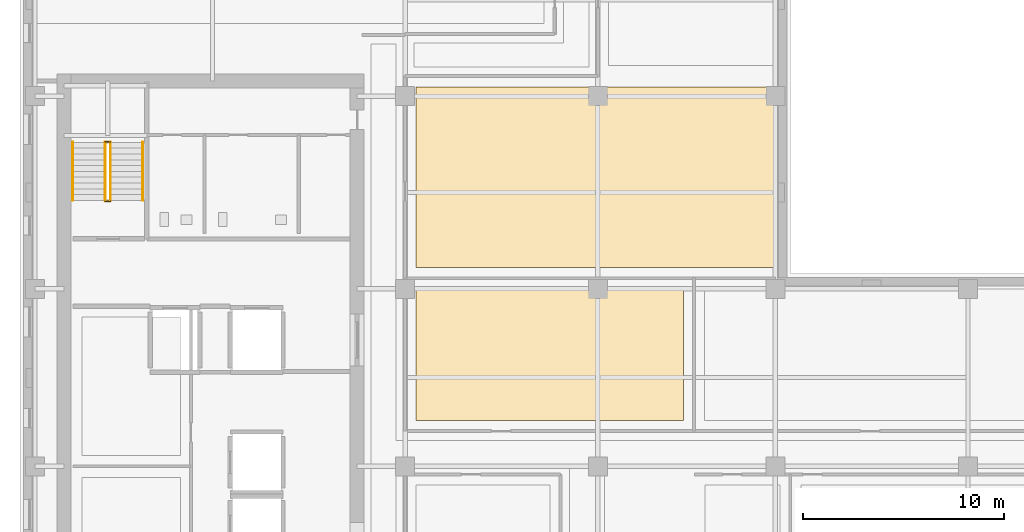
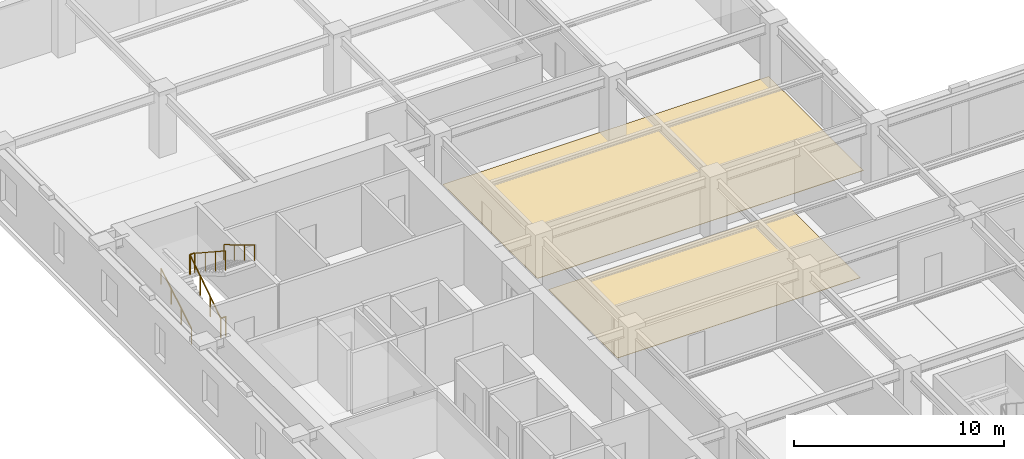
# One storey, part 10 of 12: 6 railings, 2 coverings.
"""IFC4 building model written with IfcOpenShell, lengths in metres."""

from ifc_helpers import new_model, si_unit, direction, frame, origin, origin_2d, place, context, subcontext, project, spatial, polyline, circle, outline, extrude, material, layer, layer_set, type_object, element, save


model = new_model("IFC4")

# Units and contexts
model_context = context("Model", 3, precision=1e-05, world=origin(), true_north=direction((0.0, 1.0)))
body_context = subcontext(model_context, "Body", "Model", "MODEL_VIEW")
ifc_project = project(units=[si_unit("LENGTHUNIT", "METRE"), si_unit("AREAUNIT", "SQUARE_METRE"), si_unit("VOLUMEUNIT", "CUBIC_METRE"), si_unit("PLANEANGLEUNIT", "RADIAN"), si_unit("MASSUNIT", "GRAM", prefix="KILO")], contexts=[model_context])

# Site, building, storey
site_placement = place(None, origin())
site = spatial("IfcSite", under=ifc_project, at=site_placement, CompositionType="ELEMENT")
building_placement = place(site_placement, origin())
building = spatial("IfcBuilding", under=site, at=building_placement, Name="Norrvale University Quadrangle", CompositionType="ELEMENT")
storey_placement = place(building_placement, frame((0.0, 0.0, 182.60009765625)))
storey = spatial("IfcBuildingStorey", under=building, at=storey_placement, Name="L46", CompositionType="ELEMENT", Elevation=182.60009765625)

# Coverings
ifc_material_1 = material(Name="Polished Terrazzo Flooring")
ifc_layer = layer(ifc_material_1, 0.02490234375, Name="Polished Terrazzo Flooring")
ifc_layer_set = layer_set([ifc_layer], Name="Polished Terrazzo Flooring")
covering_type = type_object("IfcCoveringType", Name="Covering Terrazzo Floor 30", PredefinedType="FLOORING", material=ifc_layer_set)
covering_1_placement = place(storey_placement, origin())
element("IfcCovering", 1, at=covering_1_placement, inside=storey, type_object=covering_type, Name="Terrazzo Flooring RM-L46-ME01", PredefinedType="FLOORING", context=body_context, shape_type="SweptSolid", body=[
    extrude(outline(polyline([(19.72998046875, 37.64990234375), (33.070068359375, 37.64990234375), (33.070068359375, 31.080078125), (19.72998046875, 31.080078125), (19.72998046875, 37.64990234375)])), origin(), (0.0, 0.0, 1.0), 0.02490234375),
])
covering_2_placement = place(storey_placement, origin())
element("IfcCovering", 2, at=covering_2_placement, inside=storey, type_object=covering_type, Name="Terrazzo Flooring RM-L46-MNE01", PredefinedType="FLOORING", context=body_context, shape_type="SweptSolid", body=[
    extrude(outline(polyline([(19.72998046875, 47.719970703125), (37.64990234375, 47.719970703125), (37.64990234375, 38.7099609375), (19.72998046875, 38.7099609375), (19.72998046875, 47.719970703125)])), origin(), (0.0, 0.0, 1.0), 0.02490234375),
])

# Railings
ifc_material_2 = material(Name="Steel 350W Painted Balustrade", Category="steel")
railing_type_1 = type_object("IfcRailingType", Name="Railing Stair Guard 1100", PredefinedType="GUARDRAIL", material=ifc_material_2)
for number, where, name in (
    (3, (4.239990234375, 42.02001953125, 0.0), "Stair Floor Well Guard ST-02 L46"),
    (4, (4.239990234375, 44.97998046875, 1.89990234375), "Stair Mid-Landing Slot Guard ST-02 L46"),
):
    element("IfcRailing", number, at=place(storey_placement, frame(where)), inside=storey, type_object=railing_type_1, Name=name, PredefinedType="GUARDRAIL", context=body_context, shape_type="SweptSolid", body=[
        extrude(circle(Radius=0.02392578125, at=origin_2d()), frame((0.0, 0.0, 1.1259765625), z_axis=(1.0, 0.0, 0.0), x_axis=(0.0, 1.0, 0.0)), (0.0, 0.0, 1.0), 0.27001953125),
        extrude(circle(Radius=0.02099609375, at=origin_2d()), origin(), (0.0, 0.0, 1.0), 1.101806640625),
        extrude(circle(Radius=0.02099609375, at=origin_2d()), frame((0.27001953125, 0.0, 0.0)), (0.0, 0.0, 1.0), 1.101806640625),
    ])
railing_1_placement = place(storey_placement, frame((4.239990234375, 42.050048828125, 0.0)))
element("IfcRailing", 5, at=railing_1_placement, inside=storey, type_object=railing_type_1, Name="Stair Lower Flight Inner Guard ST-02 L46", PredefinedType="GUARDRAIL", context=body_context, shape_type="SweptSolid", body=[
    extrude(circle(Radius=0.02392578125, at=origin_2d()), frame((0.0, 0.0, 1.1259765625), z_axis=(0.0, 0.836465582154, 0.548019461216), x_axis=(-1.0, 0.0, 0.0)), (0.0, 0.0, 1.0), 3.466796875),
    extrude(circle(Radius=0.02099609375, at=origin_2d()), origin(), (0.0, 0.0, 1.0), 1.101806640625),
    extrude(circle(Radius=0.02099609375, at=origin_2d()), frame((0.0, 0.966552734375, 0.63330078125)), (0.0, 0.0, 1.0), 1.101806640625),
    extrude(circle(Radius=0.02099609375, at=origin_2d()), frame((0.0, 1.933349609375, 1.2666015625)), (0.0, 0.0, 1.0), 1.101806640625),
    extrude(circle(Radius=0.02099609375, at=origin_2d()), frame((0.0, 2.89990234375, 1.89990234375)), (0.0, 0.0, 1.0), 1.101806640625),
])
railing_2_placement = place(storey_placement, frame((4.510009765625, 44.949951171875, 1.89990234375)))
element("IfcRailing", 6, at=railing_2_placement, inside=storey, type_object=railing_type_1, Name="Stair Upper Flight Inner Guard ST-02 L46", PredefinedType="GUARDRAIL", context=body_context, shape_type="SweptSolid", body=[
    extrude(circle(Radius=0.02392578125, at=origin_2d()), frame((0.0, 0.0, 1.1259765625), z_axis=(0.0, -0.836465582154, 0.548019461216), x_axis=(1.0, 0.0, 0.0)), (0.0, 0.0, 1.0), 3.466796875),
    extrude(circle(Radius=0.02099609375, at=origin_2d()), origin(), (0.0, 0.0, 1.0), 1.101806640625),
    extrude(circle(Radius=0.02099609375, at=origin_2d()), frame((0.0, -0.966552734375, 0.63330078125)), (0.0, 0.0, 1.0), 1.101806640625),
    extrude(circle(Radius=0.02099609375, at=origin_2d()), frame((0.0, -1.933349609375, 1.2666015625)), (0.0, 0.0, 1.0), 1.101806640625),
    extrude(circle(Radius=0.02099609375, at=origin_2d()), frame((0.0, -2.89990234375, 1.89990234375)), (0.0, 0.0, 1.0), 1.101806640625),
])
ifc_material_3 = material(Name="Stainless Steel 316L Handrail", Category="steel")
railing_type_2 = type_object("IfcRailingType", Name="Railing Stair Handrail 920", PredefinedType="HANDRAIL", material=ifc_material_3)
railing_3_placement = place(storey_placement, frame((2.639892578125, 42.050048828125, 0.172607421875)))
element("IfcRailing", 7, at=railing_3_placement, inside=storey, type_object=railing_type_2, Name="Stair Lower Flight Handrail ST-02 L46", PredefinedType="HANDRAIL", context=body_context, shape_type="SweptSolid", body=[
    extrude(circle(Radius=0.02392578125, at=origin_2d()), frame((0.0, 0.0, 0.89599609375), z_axis=(0.0, 0.859141464434, 0.511738159696), x_axis=(-1.0, 0.0, 0.0)), (0.0, 0.0, 1.0), 3.375244140625),
    extrude(circle(Radius=0.02099609375, at=origin_2d()), origin(), (0.0, 0.0, 1.0), 0.871826171875),
    extrude(circle(Radius=0.02099609375, at=origin_2d()), frame((0.0, 0.966552734375, 0.57568359375)), (0.0, 0.0, 1.0), 0.871826171875),
    extrude(circle(Radius=0.02099609375, at=origin_2d()), frame((0.0, 1.933349609375, 1.151611328125)), (0.0, 0.0, 1.0), 0.871826171875),
    extrude(circle(Radius=0.02099609375, at=origin_2d()), frame((0.0, 2.89990234375, 1.727294921875)), (0.0, 0.0, 1.0), 0.871826171875),
])
railing_4_placement = place(storey_placement, frame((6.110107421875, 44.949951171875, 2.072509765625)))
element("IfcRailing", 8, at=railing_4_placement, inside=storey, type_object=railing_type_2, Name="Stair Upper Flight Handrail ST-02 L46", PredefinedType="HANDRAIL", context=body_context, shape_type="SweptSolid", body=[
    extrude(circle(Radius=0.02392578125, at=origin_2d()), frame((0.0, 0.0, 0.89599609375), z_axis=(0.0, -0.859141464434, 0.511738159696), x_axis=(1.0, 0.0, 0.0)), (0.0, 0.0, 1.0), 3.375244140625),
    extrude(circle(Radius=0.02099609375, at=origin_2d()), origin(), (0.0, 0.0, 1.0), 0.871826171875),
    extrude(circle(Radius=0.02099609375, at=origin_2d()), frame((0.0, -0.966552734375, 0.57568359375)), (0.0, 0.0, 1.0), 0.871826171875),
    extrude(circle(Radius=0.02099609375, at=origin_2d()), frame((0.0, -1.933349609375, 1.151611328125)), (0.0, 0.0, 1.0), 0.871826171875),
    extrude(circle(Radius=0.02099609375, at=origin_2d()), frame((0.0, -2.89990234375, 1.727294921875)), (0.0, 0.0, 1.0), 0.871826171875),
])

save(model, "model.ifc")
